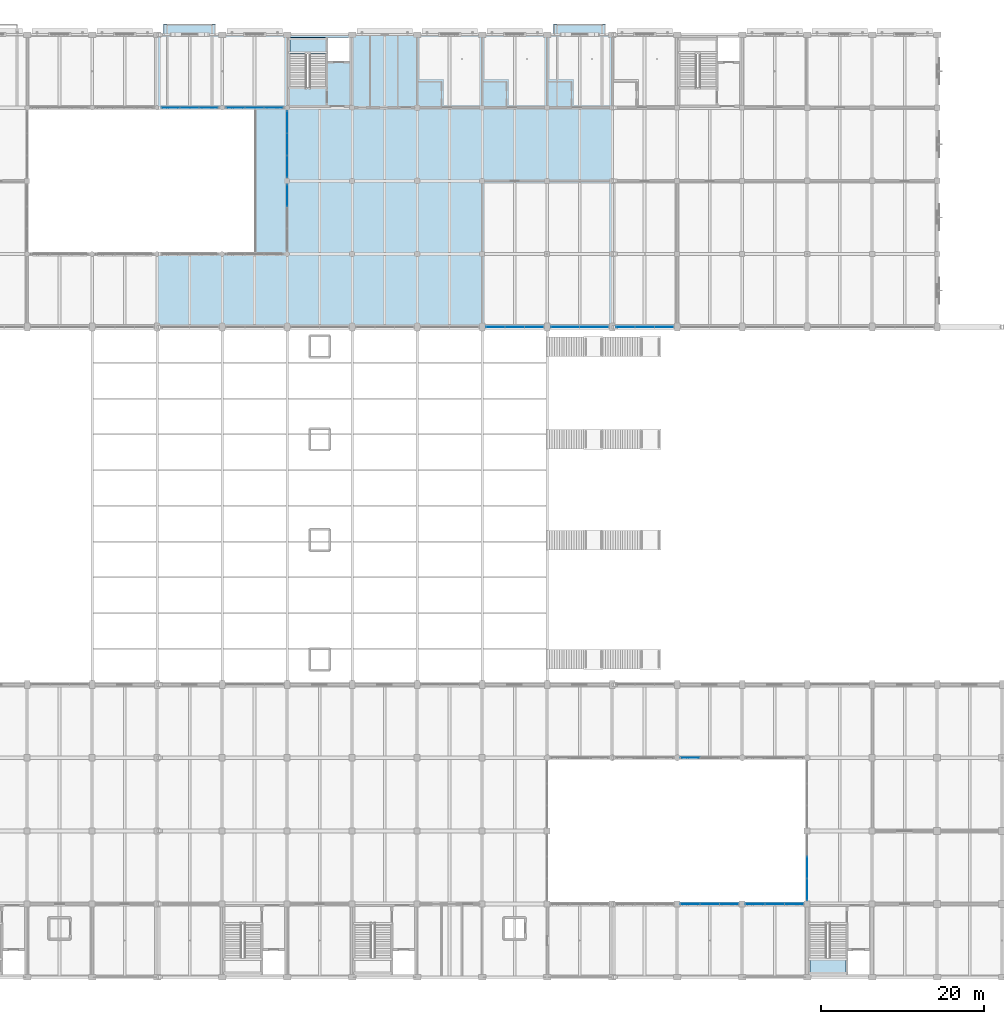
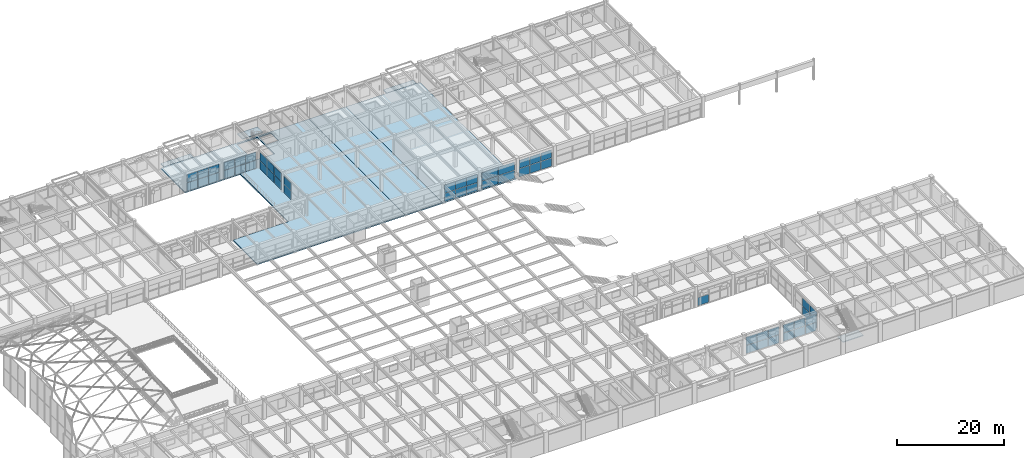
# One storey, part 96 of 144: 53 plates, 7 slabs, 13 elements without a shape of their own.
"""IFC4 building model written with IfcOpenShell, lengths in metres."""

from ifc_helpers import new_model, si_unit, direction, frame, origin, origin_2d, place, context, subcontext, project, spatial, polyline, rectangle, outline, extrude, material, layer, layer_set, type_object, element, aggregate, save


model = new_model("IFC4")

# Units and contexts
model_context = context("Model", 3, precision=1e-05, world=origin(), true_north=direction((0.0, 1.0)))
body_context = subcontext(model_context, "Body", "Model", "MODEL_VIEW")
ifc_project = project(units=[si_unit("LENGTHUNIT", "METRE"), si_unit("AREAUNIT", "SQUARE_METRE"), si_unit("VOLUMEUNIT", "CUBIC_METRE"), si_unit("PLANEANGLEUNIT", "RADIAN"), si_unit("MASSUNIT", "GRAM", prefix="KILO")], contexts=[model_context])

# Site, building, storey
site_placement = place(None, origin())
site = spatial("IfcSite", under=ifc_project, at=site_placement, CompositionType="ELEMENT")
building_placement = place(site_placement, origin())
building = spatial("IfcBuilding", under=site, at=building_placement, Name="Varnabhumi Central Station", CompositionType="ELEMENT")
storey_placement = place(building_placement, frame((0.0, 0.0, 4.800048828125)))
storey = spatial("IfcBuildingStorey", under=building, at=storey_placement, Name="L01", CompositionType="ELEMENT", Elevation=4.800048828125)

# Curtain wall, plates
ifc_material_1 = material(Name="Anodised aluminium 6063-T6", Category="aluminium")
curtain_wall_type_1 = type_object("IfcCurtainWallType", Name="CW-STREET-PORTAL", PredefinedType="NOTDEFINED", material=ifc_material_1)
curtain_wall_1_placement = place(storey_placement, origin())
curtain_wall_1 = element("IfcCurtainWall", 1, at=curtain_wall_1_placement, inside=storey, type_object=curtain_wall_type_1, Name="Curtain Wall CW-NSP113", PredefinedType="NOTDEFINED")
ifc_material_2 = material(Name="Laminated low-E double glazing", Category="glass")
ifc_layer_1 = layer(ifc_material_2, 0.035888671875, Name="Laminated low-E double glazing", Category="glass")
ifc_layer_set_1 = layer_set([ifc_layer_1], Name="Laminated low-E double glazing")
plate_type_1 = type_object("IfcPlateType", Name="CW-PNL-GLZ-2", PredefinedType="CURTAIN_PANEL", material=ifc_layer_set_1)
plate_1_placement = place(storey_placement, frame((105.63330078125, 80.0, 0.0400390625), z_axis=(0.0, 0.0, 1.0), x_axis=(1.0, 0.0, 0.0)))
plate_1 = element("IfcPlate", 2, at=plate_1_placement, type_object=plate_type_1, Name="Glazed Panel CW-NSP113-P11", PredefinedType="CURTAIN_PANEL", context=body_context, shape_type="SweptSolid", body=[
    extrude(rectangle(XDim=2.28662109375, YDim=0.035888671875, at=origin_2d()), origin(), (0.0, 0.0, 1.0), 1.840087890625),
])
plate_2_placement = place(storey_placement, frame((105.63330078125, 80.0, 1.9599609375), z_axis=(0.0, 0.0, 1.0), x_axis=(1.0, 0.0, 0.0)))
plate_2 = element("IfcPlate", 3, at=plate_2_placement, type_object=plate_type_1, Name="Glazed Panel CW-NSP113-P12", PredefinedType="CURTAIN_PANEL", context=body_context, shape_type="SweptSolid", body=[
    extrude(rectangle(XDim=2.28662109375, YDim=0.035888671875, at=origin_2d()), origin(), (0.0, 0.0, 1.0), 1.840087890625),
])
plate_3_placement = place(storey_placement, frame((108.0, 80.0, 0.0400390625), z_axis=(0.0, 0.0, 1.0), x_axis=(1.0, 0.0, 0.0)))
plate_3 = element("IfcPlate", 4, at=plate_3_placement, type_object=plate_type_1, Name="Glazed Panel CW-NSP113-P21", PredefinedType="CURTAIN_PANEL", context=body_context, shape_type="SweptSolid", body=[
    extrude(rectangle(XDim=2.28662109375, YDim=0.035888671875, at=origin_2d()), origin(), (0.0, 0.0, 1.0), 1.840087890625),
])
plate_4_placement = place(storey_placement, frame((108.0, 80.0, 1.9599609375), z_axis=(0.0, 0.0, 1.0), x_axis=(1.0, 0.0, 0.0)))
plate_4 = element("IfcPlate", 5, at=plate_4_placement, type_object=plate_type_1, Name="Glazed Panel CW-NSP113-P22", PredefinedType="CURTAIN_PANEL", context=body_context, shape_type="SweptSolid", body=[
    extrude(rectangle(XDim=2.28662109375, YDim=0.035888671875, at=origin_2d()), origin(), (0.0, 0.0, 1.0), 1.840087890625),
])
plate_5_placement = place(storey_placement, frame((110.36669921875, 80.0, 0.0400390625), z_axis=(0.0, 0.0, 1.0), x_axis=(1.0, 0.0, 0.0)))
plate_5 = element("IfcPlate", 6, at=plate_5_placement, type_object=plate_type_1, Name="Glazed Panel CW-NSP113-P31", PredefinedType="CURTAIN_PANEL", context=body_context, shape_type="SweptSolid", body=[
    extrude(rectangle(XDim=2.28662109375, YDim=0.035888671875, at=origin_2d()), origin(), (0.0, 0.0, 1.0), 1.840087890625),
])
plate_6_placement = place(storey_placement, frame((110.36669921875, 80.0, 1.9599609375), z_axis=(0.0, 0.0, 1.0), x_axis=(1.0, 0.0, 0.0)))
plate_6 = element("IfcPlate", 7, at=plate_6_placement, type_object=plate_type_1, Name="Glazed Panel CW-NSP113-P32", PredefinedType="CURTAIN_PANEL", context=body_context, shape_type="SweptSolid", body=[
    extrude(rectangle(XDim=2.28662109375, YDim=0.035888671875, at=origin_2d()), origin(), (0.0, 0.0, 1.0), 1.840087890625),
])
aggregate(curtain_wall_1, [plate_1, plate_2, plate_3, plate_4, plate_5, plate_6])

curtain_wall_type_2 = type_object("IfcCurtainWallType", Name="CW-PATIO-LOGGIA-L1", PredefinedType="NOTDEFINED", material=ifc_material_1)
curtain_wall_2_placement = place(storey_placement, origin())
curtain_wall_2 = element("IfcCurtainWall", 8, at=curtain_wall_2_placement, inside=storey, type_object=curtain_wall_type_2, Name="Curtain Wall CW-NP1W1", PredefinedType="NOTDEFINED")
plate_7_placement = place(storey_placement, frame((80.0, 96.219970703125, 0.0400390625), z_axis=(0.0, 0.0, 1.0), x_axis=(0.0, 1.0, 0.0)))
plate_7 = element("IfcPlate", 9, at=plate_7_placement, type_object=plate_type_1, Name="Glazed Panel CW-NP1W1-P31", PredefinedType="CURTAIN_PANEL", context=body_context, shape_type="SweptSolid", body=[
    extrude(rectangle(XDim=2.639892578125, YDim=0.035888671875, at=origin_2d()), origin(), (0.0, 0.0, 1.0), 1.840087890625),
])
plate_8_placement = place(storey_placement, frame((80.0, 96.219970703125, 1.9599609375), z_axis=(0.0, 0.0, 1.0), x_axis=(0.0, 1.0, 0.0)))
plate_8 = element("IfcPlate", 10, at=plate_8_placement, type_object=plate_type_1, Name="Glazed Panel CW-NP1W1-P32", PredefinedType="CURTAIN_PANEL", context=body_context, shape_type="SweptSolid", body=[
    extrude(rectangle(XDim=2.639892578125, YDim=0.035888671875, at=origin_2d()), origin(), (0.0, 0.0, 1.0), 1.840087890625),
])
aggregate(curtain_wall_2, [plate_7, plate_8])

curtain_wall_3_placement = place(storey_placement, origin())
curtain_wall_3 = element("IfcCurtainWall", 11, at=curtain_wall_3_placement, inside=storey, type_object=curtain_wall_type_2, Name="Curtain Wall CW-NP1W2", PredefinedType="NOTDEFINED")
plate_9_placement = place(storey_placement, frame((80.0, 99.780029296875, 0.0400390625), z_axis=(0.0, 0.0, 1.0), x_axis=(0.0, 1.0, 0.0)))
plate_9 = element("IfcPlate", 12, at=plate_9_placement, type_object=plate_type_1, Name="Glazed Panel CW-NP1W2-P11", PredefinedType="CURTAIN_PANEL", context=body_context, shape_type="SweptSolid", body=[
    extrude(rectangle(XDim=2.639892578125, YDim=0.035888671875, at=origin_2d()), origin(), (0.0, 0.0, 1.0), 1.840087890625),
])
plate_10_placement = place(storey_placement, frame((80.0, 99.780029296875, 1.9599609375), z_axis=(0.0, 0.0, 1.0), x_axis=(0.0, 1.0, 0.0)))
plate_10 = element("IfcPlate", 13, at=plate_10_placement, type_object=plate_type_1, Name="Glazed Panel CW-NP1W2-P12", PredefinedType="CURTAIN_PANEL", context=body_context, shape_type="SweptSolid", body=[
    extrude(rectangle(XDim=2.639892578125, YDim=0.035888671875, at=origin_2d()), origin(), (0.0, 0.0, 1.0), 1.840087890625),
])
plate_11_placement = place(storey_placement, frame((80.0, 102.5, 0.0400390625), z_axis=(0.0, 0.0, 1.0), x_axis=(0.0, 1.0, 0.0)))
plate_11 = element("IfcPlate", 14, at=plate_11_placement, type_object=plate_type_1, Name="Glazed Panel CW-NP1W2-P21", PredefinedType="CURTAIN_PANEL", context=body_context, shape_type="SweptSolid", body=[
    extrude(rectangle(XDim=2.639892578125, YDim=0.035888671875, at=origin_2d()), origin(), (0.0, 0.0, 1.0), 1.840087890625),
])
plate_12_placement = place(storey_placement, frame((80.0, 102.5, 1.9599609375), z_axis=(0.0, 0.0, 1.0), x_axis=(0.0, 1.0, 0.0)))
plate_12 = element("IfcPlate", 15, at=plate_12_placement, type_object=plate_type_1, Name="Glazed Panel CW-NP1W2-P22", PredefinedType="CURTAIN_PANEL", context=body_context, shape_type="SweptSolid", body=[
    extrude(rectangle(XDim=2.639892578125, YDim=0.035888671875, at=origin_2d()), origin(), (0.0, 0.0, 1.0), 1.840087890625),
])
plate_13_placement = place(storey_placement, frame((80.0, 105.219970703125, 0.0400390625), z_axis=(0.0, 0.0, 1.0), x_axis=(0.0, 1.0, 0.0)))
plate_13 = element("IfcPlate", 16, at=plate_13_placement, type_object=plate_type_1, Name="Glazed Panel CW-NP1W2-P31", PredefinedType="CURTAIN_PANEL", context=body_context, shape_type="SweptSolid", body=[
    extrude(rectangle(XDim=2.639892578125, YDim=0.035888671875, at=origin_2d()), origin(), (0.0, 0.0, 1.0), 1.840087890625),
])
plate_14_placement = place(storey_placement, frame((80.0, 105.219970703125, 1.9599609375), z_axis=(0.0, 0.0, 1.0), x_axis=(0.0, 1.0, 0.0)))
plate_14 = element("IfcPlate", 17, at=plate_14_placement, type_object=plate_type_1, Name="Glazed Panel CW-NP1W2-P32", PredefinedType="CURTAIN_PANEL", context=body_context, shape_type="SweptSolid", body=[
    extrude(rectangle(XDim=2.639892578125, YDim=0.035888671875, at=origin_2d()), origin(), (0.0, 0.0, 1.0), 1.840087890625),
])
aggregate(curtain_wall_3, [plate_9, plate_10, plate_11, plate_12, plate_13, plate_14])

curtain_wall_4_placement = place(storey_placement, origin())
curtain_wall_4 = element("IfcCurtainWall", 18, at=curtain_wall_4_placement, inside=storey, type_object=curtain_wall_type_2, Name="Curtain Wall CW-SP1W1", PredefinedType="NOTDEFINED")
ifc_layer_2 = layer(ifc_material_2, 0.035888671875, Name="Laminated low-E double glazing", Category="glass")
ifc_layer_set_2 = layer_set([ifc_layer_2], Name="Laminated low-E double glazing")
plate_type_2 = type_object("IfcPlateType", Name="CW-PNL-GLZ-3", PredefinedType="CURTAIN_PANEL", material=ifc_layer_set_2)
plate_15_placement = place(storey_placement, frame((144.0, 10.780029296875, 0.0400390625), z_axis=(0.0, 0.0, 1.0), x_axis=(0.0, 1.0, 0.0)))
plate_15 = element("IfcPlate", 19, at=plate_15_placement, type_object=plate_type_2, Name="Glazed Panel CW-SP1W1-P11", PredefinedType="CURTAIN_PANEL", context=body_context, shape_type="SweptSolid", body=[
    extrude(rectangle(XDim=2.639892578125, YDim=0.035888671875, at=origin_2d()), origin(), (0.0, 0.0, 1.0), 1.840087890625),
])
plate_16_placement = place(storey_placement, frame((144.0, 10.780029296875, 1.9599609375), z_axis=(0.0, 0.0, 1.0), x_axis=(0.0, 1.0, 0.0)))
plate_16 = element("IfcPlate", 20, at=plate_16_placement, type_object=plate_type_2, Name="Glazed Panel CW-SP1W1-P12", PredefinedType="CURTAIN_PANEL", context=body_context, shape_type="SweptSolid", body=[
    extrude(rectangle(XDim=2.639892578125, YDim=0.035888671875, at=origin_2d()), origin(), (0.0, 0.0, 1.0), 1.840087890625),
])
plate_17_placement = place(storey_placement, frame((144.0, 13.5, 0.0400390625), z_axis=(0.0, 0.0, 1.0), x_axis=(0.0, 1.0, 0.0)))
plate_17 = element("IfcPlate", 21, at=plate_17_placement, type_object=plate_type_2, Name="Glazed Panel CW-SP1W1-P21", PredefinedType="CURTAIN_PANEL", context=body_context, shape_type="SweptSolid", body=[
    extrude(rectangle(XDim=2.639892578125, YDim=0.035888671875, at=origin_2d()), origin(), (0.0, 0.0, 1.0), 1.840087890625),
])
plate_18_placement = place(storey_placement, frame((144.0, 13.5, 1.9599609375), z_axis=(0.0, 0.0, 1.0), x_axis=(0.0, 1.0, 0.0)))
plate_18 = element("IfcPlate", 22, at=plate_18_placement, type_object=plate_type_2, Name="Glazed Panel CW-SP1W1-P22", PredefinedType="CURTAIN_PANEL", context=body_context, shape_type="SweptSolid", body=[
    extrude(rectangle(XDim=2.639892578125, YDim=0.035888671875, at=origin_2d()), origin(), (0.0, 0.0, 1.0), 1.840087890625),
])
aggregate(curtain_wall_4, [plate_15, plate_16, plate_17, plate_18])

curtain_wall_5_placement = place(storey_placement, origin())
curtain_wall_5 = element("IfcCurtainWall", 23, at=curtain_wall_5_placement, inside=storey, type_object=curtain_wall_type_1, Name="Curtain Wall CW-NSP115", PredefinedType="NOTDEFINED")
ifc_layer_3 = layer(ifc_material_2, 0.035888671875, Name="Laminated low-E double glazing", Category="glass")
ifc_layer_set_3 = layer_set([ifc_layer_3], Name="Laminated low-E double glazing")
plate_type_3 = type_object("IfcPlateType", Name="CW-PNL-GLZ-4", PredefinedType="CURTAIN_PANEL", material=ifc_layer_set_3)
plate_19_placement = place(storey_placement, frame((121.63330078125, 80.0, 0.0400390625), z_axis=(0.0, 0.0, 1.0), x_axis=(1.0, 0.0, 0.0)))
plate_19 = element("IfcPlate", 24, at=plate_19_placement, type_object=plate_type_3, Name="Glazed Panel CW-NSP115-P11", PredefinedType="CURTAIN_PANEL", context=body_context, shape_type="SweptSolid", body=[
    extrude(rectangle(XDim=2.28662109375, YDim=0.035888671875, at=origin_2d()), origin(), (0.0, 0.0, 1.0), 1.840087890625),
])
plate_20_placement = place(storey_placement, frame((121.63330078125, 80.0, 1.9599609375), z_axis=(0.0, 0.0, 1.0), x_axis=(1.0, 0.0, 0.0)))
plate_20 = element("IfcPlate", 25, at=plate_20_placement, type_object=plate_type_3, Name="Glazed Panel CW-NSP115-P12", PredefinedType="CURTAIN_PANEL", context=body_context, shape_type="SweptSolid", body=[
    extrude(rectangle(XDim=2.28662109375, YDim=0.035888671875, at=origin_2d()), origin(), (0.0, 0.0, 1.0), 1.840087890625),
])
plate_21_placement = place(storey_placement, frame((124.0, 80.0, 0.0400390625), z_axis=(0.0, 0.0, 1.0), x_axis=(1.0, 0.0, 0.0)))
plate_21 = element("IfcPlate", 26, at=plate_21_placement, type_object=plate_type_3, Name="Glazed Panel CW-NSP115-P21", PredefinedType="CURTAIN_PANEL", context=body_context, shape_type="SweptSolid", body=[
    extrude(rectangle(XDim=2.28662109375, YDim=0.035888671875, at=origin_2d()), origin(), (0.0, 0.0, 1.0), 1.840087890625),
])
plate_22_placement = place(storey_placement, frame((124.0, 80.0, 1.9599609375), z_axis=(0.0, 0.0, 1.0), x_axis=(1.0, 0.0, 0.0)))
plate_22 = element("IfcPlate", 27, at=plate_22_placement, type_object=plate_type_3, Name="Glazed Panel CW-NSP115-P22", PredefinedType="CURTAIN_PANEL", context=body_context, shape_type="SweptSolid", body=[
    extrude(rectangle(XDim=2.28662109375, YDim=0.035888671875, at=origin_2d()), origin(), (0.0, 0.0, 1.0), 1.840087890625),
])
plate_23_placement = place(storey_placement, frame((126.36669921875, 80.0, 0.0400390625), z_axis=(0.0, 0.0, 1.0), x_axis=(1.0, 0.0, 0.0)))
plate_23 = element("IfcPlate", 28, at=plate_23_placement, type_object=plate_type_3, Name="Glazed Panel CW-NSP115-P31", PredefinedType="CURTAIN_PANEL", context=body_context, shape_type="SweptSolid", body=[
    extrude(rectangle(XDim=2.28662109375, YDim=0.035888671875, at=origin_2d()), origin(), (0.0, 0.0, 1.0), 1.840087890625),
])
plate_24_placement = place(storey_placement, frame((126.36669921875, 80.0, 1.9599609375), z_axis=(0.0, 0.0, 1.0), x_axis=(1.0, 0.0, 0.0)))
plate_24 = element("IfcPlate", 29, at=plate_24_placement, type_object=plate_type_3, Name="Glazed Panel CW-NSP115-P32", PredefinedType="CURTAIN_PANEL", context=body_context, shape_type="SweptSolid", body=[
    extrude(rectangle(XDim=2.28662109375, YDim=0.035888671875, at=origin_2d()), origin(), (0.0, 0.0, 1.0), 1.840087890625),
])
aggregate(curtain_wall_5, [plate_19, plate_20, plate_21, plate_22, plate_23, plate_24])

curtain_wall_6_placement = place(storey_placement, origin())
curtain_wall_6 = element("IfcCurtainWall", 30, at=curtain_wall_6_placement, inside=storey, type_object=curtain_wall_type_2, Name="Curtain Wall CW-NP1N3", PredefinedType="NOTDEFINED")
plate_25_placement = place(storey_placement, frame((65.679931640625, 107.0, 0.0400390625), z_axis=(0.0, 0.0, 1.0), x_axis=(1.0, 0.0, 0.0)))
plate_25 = element("IfcPlate", 31, at=plate_25_placement, type_object=plate_type_3, Name="Glazed Panel CW-NP1N3-P11", PredefinedType="CURTAIN_PANEL", context=body_context, shape_type="SweptSolid", body=[
    extrude(rectangle(XDim=2.239990234375, YDim=0.035888671875, at=origin_2d()), origin(), (0.0, 0.0, 1.0), 1.840087890625),
])
plate_26_placement = place(storey_placement, frame((65.679931640625, 107.0, 1.9599609375), z_axis=(0.0, 0.0, 1.0), x_axis=(1.0, 0.0, 0.0)))
plate_26 = element("IfcPlate", 32, at=plate_26_placement, type_object=plate_type_3, Name="Glazed Panel CW-NP1N3-P12", PredefinedType="CURTAIN_PANEL", context=body_context, shape_type="SweptSolid", body=[
    extrude(rectangle(XDim=2.239990234375, YDim=0.035888671875, at=origin_2d()), origin(), (0.0, 0.0, 1.0), 1.840087890625),
])
plate_27_placement = place(storey_placement, frame((68.0, 107.0, 0.0400390625), z_axis=(0.0, 0.0, 1.0), x_axis=(1.0, 0.0, 0.0)))
plate_27 = element("IfcPlate", 33, at=plate_27_placement, type_object=plate_type_3, Name="Glazed Panel CW-NP1N3-P21", PredefinedType="CURTAIN_PANEL", context=body_context, shape_type="SweptSolid", body=[
    extrude(rectangle(XDim=2.239990234375, YDim=0.035888671875, at=origin_2d()), origin(), (0.0, 0.0, 1.0), 1.840087890625),
])
plate_28_placement = place(storey_placement, frame((68.0, 107.0, 1.9599609375), z_axis=(0.0, 0.0, 1.0), x_axis=(1.0, 0.0, 0.0)))
plate_28 = element("IfcPlate", 34, at=plate_28_placement, type_object=plate_type_3, Name="Glazed Panel CW-NP1N3-P22", PredefinedType="CURTAIN_PANEL", context=body_context, shape_type="SweptSolid", body=[
    extrude(rectangle(XDim=2.239990234375, YDim=0.035888671875, at=origin_2d()), origin(), (0.0, 0.0, 1.0), 1.840087890625),
])
plate_29_placement = place(storey_placement, frame((70.320068359375, 107.0, 0.0400390625), z_axis=(0.0, 0.0, 1.0), x_axis=(1.0, 0.0, 0.0)))
plate_29 = element("IfcPlate", 35, at=plate_29_placement, type_object=plate_type_3, Name="Glazed Panel CW-NP1N3-P31", PredefinedType="CURTAIN_PANEL", context=body_context, shape_type="SweptSolid", body=[
    extrude(rectangle(XDim=2.239990234375, YDim=0.035888671875, at=origin_2d()), origin(), (0.0, 0.0, 1.0), 1.840087890625),
])
plate_30_placement = place(storey_placement, frame((70.320068359375, 107.0, 1.9599609375), z_axis=(0.0, 0.0, 1.0), x_axis=(1.0, 0.0, 0.0)))
plate_30 = element("IfcPlate", 36, at=plate_30_placement, type_object=plate_type_3, Name="Glazed Panel CW-NP1N3-P32", PredefinedType="CURTAIN_PANEL", context=body_context, shape_type="SweptSolid", body=[
    extrude(rectangle(XDim=2.239990234375, YDim=0.035888671875, at=origin_2d()), origin(), (0.0, 0.0, 1.0), 1.840087890625),
])
aggregate(curtain_wall_6, [plate_25, plate_26, plate_27, plate_28, plate_29, plate_30])

curtain_wall_type_3 = type_object("IfcCurtainWallType", Name="CW-SPINE-SCREEN-L0", PredefinedType="NOTDEFINED", material=ifc_material_1)
curtain_wall_7_placement = place(storey_placement, origin())
curtain_wall_7 = element("IfcCurtainWall", 37, at=curtain_wall_7_placement, inside=storey, type_object=curtain_wall_type_3, Name="Curtain Wall CW-NS114", PredefinedType="NOTDEFINED")
ifc_layer_4 = layer(ifc_material_2, 0.035888671875, Name="Laminated low-E double glazing", Category="glass")
ifc_layer_set_4 = layer_set([ifc_layer_4], Name="Laminated low-E double glazing")
plate_type_4 = type_object("IfcPlateType", Name="CW-PNL-GLZ-5", PredefinedType="CURTAIN_PANEL", material=ifc_layer_set_4)
plate_31_placement = place(storey_placement, frame((114.22509765625, 80.0, 0.0400390625), z_axis=(0.0, 0.0, 1.0), x_axis=(1.0, 0.0, 0.0)))
plate_31 = element("IfcPlate", 38, at=plate_31_placement, type_object=plate_type_4, Name="Glazed Panel CW-NS114-P11", PredefinedType="CURTAIN_PANEL", context=body_context, shape_type="SweptSolid", body=[
    extrude(rectangle(XDim=3.469970703125, YDim=0.035888671875, at=origin_2d()), origin(), (0.0, 0.0, 1.0), 1.840087890625),
])
plate_32_placement = place(storey_placement, frame((114.22509765625, 80.0, 1.9599609375), z_axis=(0.0, 0.0, 1.0), x_axis=(1.0, 0.0, 0.0)))
plate_32 = element("IfcPlate", 39, at=plate_32_placement, type_object=plate_type_4, Name="Glazed Panel CW-NS114-P12", PredefinedType="CURTAIN_PANEL", context=body_context, shape_type="SweptSolid", body=[
    extrude(rectangle(XDim=3.469970703125, YDim=0.035888671875, at=origin_2d()), origin(), (0.0, 0.0, 1.0), 1.840087890625),
])
plate_33_placement = place(storey_placement, frame((117.77490234375, 80.0, 0.0400390625), z_axis=(0.0, 0.0, 1.0), x_axis=(1.0, 0.0, 0.0)))
plate_33 = element("IfcPlate", 40, at=plate_33_placement, type_object=plate_type_4, Name="Glazed Panel CW-NS114-P21", PredefinedType="CURTAIN_PANEL", context=body_context, shape_type="SweptSolid", body=[
    extrude(rectangle(XDim=3.469970703125, YDim=0.035888671875, at=origin_2d()), origin(), (0.0, 0.0, 1.0), 1.840087890625),
])
plate_34_placement = place(storey_placement, frame((117.77490234375, 80.0, 1.9599609375), z_axis=(0.0, 0.0, 1.0), x_axis=(1.0, 0.0, 0.0)))
plate_34 = element("IfcPlate", 41, at=plate_34_placement, type_object=plate_type_4, Name="Glazed Panel CW-NS114-P22", PredefinedType="CURTAIN_PANEL", context=body_context, shape_type="SweptSolid", body=[
    extrude(rectangle(XDim=3.469970703125, YDim=0.035888671875, at=origin_2d()), origin(), (0.0, 0.0, 1.0), 1.840087890625),
])
aggregate(curtain_wall_7, [plate_31, plate_32, plate_33, plate_34])

curtain_wall_8_placement = place(storey_placement, origin())
curtain_wall_8 = element("IfcCurtainWall", 42, at=curtain_wall_8_placement, inside=storey, type_object=curtain_wall_type_2, Name="Curtain Wall CW-NP1N4", PredefinedType="NOTDEFINED")
plate_35_placement = place(storey_placement, frame((73.679931640625, 107.0, 0.0400390625), z_axis=(0.0, 0.0, 1.0), x_axis=(1.0, 0.0, 0.0)))
plate_35 = element("IfcPlate", 43, at=plate_35_placement, type_object=plate_type_4, Name="Glazed Panel CW-NP1N4-P11", PredefinedType="CURTAIN_PANEL", context=body_context, shape_type="SweptSolid", body=[
    extrude(rectangle(XDim=2.239990234375, YDim=0.035888671875, at=origin_2d()), origin(), (0.0, 0.0, 1.0), 1.840087890625),
])
plate_36_placement = place(storey_placement, frame((73.679931640625, 107.0, 1.9599609375), z_axis=(0.0, 0.0, 1.0), x_axis=(1.0, 0.0, 0.0)))
plate_36 = element("IfcPlate", 44, at=plate_36_placement, type_object=plate_type_4, Name="Glazed Panel CW-NP1N4-P12", PredefinedType="CURTAIN_PANEL", context=body_context, shape_type="SweptSolid", body=[
    extrude(rectangle(XDim=2.239990234375, YDim=0.035888671875, at=origin_2d()), origin(), (0.0, 0.0, 1.0), 1.840087890625),
])
plate_37_placement = place(storey_placement, frame((76.0, 107.0, 0.0400390625), z_axis=(0.0, 0.0, 1.0), x_axis=(1.0, 0.0, 0.0)))
plate_37 = element("IfcPlate", 45, at=plate_37_placement, type_object=plate_type_4, Name="Glazed Panel CW-NP1N4-P21", PredefinedType="CURTAIN_PANEL", context=body_context, shape_type="SweptSolid", body=[
    extrude(rectangle(XDim=2.239990234375, YDim=0.035888671875, at=origin_2d()), origin(), (0.0, 0.0, 1.0), 1.840087890625),
])
plate_38_placement = place(storey_placement, frame((76.0, 107.0, 1.9599609375), z_axis=(0.0, 0.0, 1.0), x_axis=(1.0, 0.0, 0.0)))
plate_38 = element("IfcPlate", 46, at=plate_38_placement, type_object=plate_type_4, Name="Glazed Panel CW-NP1N4-P22", PredefinedType="CURTAIN_PANEL", context=body_context, shape_type="SweptSolid", body=[
    extrude(rectangle(XDim=2.239990234375, YDim=0.035888671875, at=origin_2d()), origin(), (0.0, 0.0, 1.0), 1.840087890625),
])
plate_39_placement = place(storey_placement, frame((78.320068359375, 107.0, 0.0400390625), z_axis=(0.0, 0.0, 1.0), x_axis=(1.0, 0.0, 0.0)))
plate_39 = element("IfcPlate", 47, at=plate_39_placement, type_object=plate_type_4, Name="Glazed Panel CW-NP1N4-P31", PredefinedType="CURTAIN_PANEL", context=body_context, shape_type="SweptSolid", body=[
    extrude(rectangle(XDim=2.239990234375, YDim=0.035888671875, at=origin_2d()), origin(), (0.0, 0.0, 1.0), 1.840087890625),
])
plate_40_placement = place(storey_placement, frame((78.320068359375, 107.0, 1.9599609375), z_axis=(0.0, 0.0, 1.0), x_axis=(1.0, 0.0, 0.0)))
plate_40 = element("IfcPlate", 48, at=plate_40_placement, type_object=plate_type_4, Name="Glazed Panel CW-NP1N4-P32", PredefinedType="CURTAIN_PANEL", context=body_context, shape_type="SweptSolid", body=[
    extrude(rectangle(XDim=2.239990234375, YDim=0.035888671875, at=origin_2d()), origin(), (0.0, 0.0, 1.0), 1.840087890625),
])
aggregate(curtain_wall_8, [plate_35, plate_36, plate_37, plate_38, plate_39, plate_40])

curtain_wall_9_placement = place(storey_placement, origin())
curtain_wall_9 = element("IfcCurtainWall", 49, at=curtain_wall_9_placement, inside=storey, type_object=curtain_wall_type_2, Name="Curtain Wall CW-SP1S3", PredefinedType="NOTDEFINED")
ifc_layer_5 = layer(ifc_material_2, 0.035888671875, Name="Laminated low-E double glazing", Category="glass")
ifc_layer_set_5 = layer_set([ifc_layer_5], Name="Laminated low-E double glazing")
plate_type_5 = type_object("IfcPlateType", Name="CW-PNL-GLZ-7", PredefinedType="CURTAIN_PANEL", material=ifc_layer_set_5)
plate_41_placement = place(storey_placement, frame((129.61328125, 9.0, 0.0400390625), z_axis=(0.0, 0.0, 1.0), x_axis=(1.0, 0.0, 0.0)))
plate_41 = element("IfcPlate", 50, at=plate_41_placement, type_object=plate_type_5, Name="Glazed Panel CW-SP1S3-P11", PredefinedType="CURTAIN_PANEL", context=body_context, shape_type="SweptSolid", body=[
    extrude(rectangle(XDim=2.306640625, YDim=0.035888671875, at=origin_2d()), origin(), (0.0, 0.0, 1.0), 1.840087890625),
])
plate_42_placement = place(storey_placement, frame((129.61328125, 9.0, 1.9599609375), z_axis=(0.0, 0.0, 1.0), x_axis=(1.0, 0.0, 0.0)))
plate_42 = element("IfcPlate", 51, at=plate_42_placement, type_object=plate_type_5, Name="Glazed Panel CW-SP1S3-P12", PredefinedType="CURTAIN_PANEL", context=body_context, shape_type="SweptSolid", body=[
    extrude(rectangle(XDim=2.306640625, YDim=0.035888671875, at=origin_2d()), origin(), (0.0, 0.0, 1.0), 1.840087890625),
])
plate_43_placement = place(storey_placement, frame((132.0, 9.0, 0.0400390625), z_axis=(0.0, 0.0, 1.0), x_axis=(1.0, 0.0, 0.0)))
plate_43 = element("IfcPlate", 52, at=plate_43_placement, type_object=plate_type_5, Name="Glazed Panel CW-SP1S3-P21", PredefinedType="CURTAIN_PANEL", context=body_context, shape_type="SweptSolid", body=[
    extrude(rectangle(XDim=2.306640625, YDim=0.035888671875, at=origin_2d()), origin(), (0.0, 0.0, 1.0), 1.840087890625),
])
plate_44_placement = place(storey_placement, frame((132.0, 9.0, 1.9599609375), z_axis=(0.0, 0.0, 1.0), x_axis=(1.0, 0.0, 0.0)))
plate_44 = element("IfcPlate", 53, at=plate_44_placement, type_object=plate_type_5, Name="Glazed Panel CW-SP1S3-P22", PredefinedType="CURTAIN_PANEL", context=body_context, shape_type="SweptSolid", body=[
    extrude(rectangle(XDim=2.306640625, YDim=0.035888671875, at=origin_2d()), origin(), (0.0, 0.0, 1.0), 1.840087890625),
])
plate_45_placement = place(storey_placement, frame((134.38671875, 9.0, 0.0400390625), z_axis=(0.0, 0.0, 1.0), x_axis=(1.0, 0.0, 0.0)))
plate_45 = element("IfcPlate", 54, at=plate_45_placement, type_object=plate_type_5, Name="Glazed Panel CW-SP1S3-P31", PredefinedType="CURTAIN_PANEL", context=body_context, shape_type="SweptSolid", body=[
    extrude(rectangle(XDim=2.306640625, YDim=0.035888671875, at=origin_2d()), origin(), (0.0, 0.0, 1.0), 1.840087890625),
])
plate_46_placement = place(storey_placement, frame((134.38671875, 9.0, 1.9599609375), z_axis=(0.0, 0.0, 1.0), x_axis=(1.0, 0.0, 0.0)))
plate_46 = element("IfcPlate", 55, at=plate_46_placement, type_object=plate_type_5, Name="Glazed Panel CW-SP1S3-P32", PredefinedType="CURTAIN_PANEL", context=body_context, shape_type="SweptSolid", body=[
    extrude(rectangle(XDim=2.306640625, YDim=0.035888671875, at=origin_2d()), origin(), (0.0, 0.0, 1.0), 1.840087890625),
])
aggregate(curtain_wall_9, [plate_41, plate_42, plate_43, plate_44, plate_45, plate_46])

# Curtain wall, plate
curtain_wall_10_placement = place(storey_placement, origin())
curtain_wall_10 = element("IfcCurtainWall", 56, at=curtain_wall_10_placement, inside=storey, type_object=curtain_wall_type_2, Name="Curtain Wall CW-SP1N3", PredefinedType="NOTDEFINED")
plate_47_placement = place(storey_placement, frame((129.61328125, 27.0, 0.0400390625), z_axis=(0.0, 0.0, 1.0), x_axis=(1.0, 0.0, 0.0)))
plate_47 = element("IfcPlate", 57, at=plate_47_placement, type_object=plate_type_5, Name="Glazed Panel CW-SP1N3-P11", PredefinedType="CURTAIN_PANEL", context=body_context, shape_type="SweptSolid", body=[
    extrude(rectangle(XDim=2.306640625, YDim=0.035888671875, at=origin_2d()), origin(), (0.0, 0.0, 1.0), 1.840087890625),
])
aggregate(curtain_wall_10, [plate_47])

# Curtain wall, plates
curtain_wall_11_placement = place(storey_placement, origin())
curtain_wall_11 = element("IfcCurtainWall", 58, at=curtain_wall_11_placement, inside=storey, type_object=curtain_wall_type_2, Name="Curtain Wall CW-SP1S4", PredefinedType="NOTDEFINED")
ifc_layer_6 = layer(ifc_material_2, 0.035888671875, Name="Laminated low-E double glazing", Category="glass")
ifc_layer_set_6 = layer_set([ifc_layer_6], Name="Laminated low-E double glazing")
plate_type_6 = type_object("IfcPlateType", Name="CW-PNL-GLZ-8", PredefinedType="CURTAIN_PANEL", material=ifc_layer_set_6)
plate_48_placement = place(storey_placement, frame((137.61328125, 9.0, 0.0400390625), z_axis=(0.0, 0.0, 1.0), x_axis=(1.0, 0.0, 0.0)))
plate_48 = element("IfcPlate", 59, at=plate_48_placement, type_object=plate_type_6, Name="Glazed Panel CW-SP1S4-P11", PredefinedType="CURTAIN_PANEL", context=body_context, shape_type="SweptSolid", body=[
    extrude(rectangle(XDim=2.306640625, YDim=0.035888671875, at=origin_2d()), origin(), (0.0, 0.0, 1.0), 1.840087890625),
])
plate_49_placement = place(storey_placement, frame((137.61328125, 9.0, 1.9599609375), z_axis=(0.0, 0.0, 1.0), x_axis=(1.0, 0.0, 0.0)))
plate_49 = element("IfcPlate", 60, at=plate_49_placement, type_object=plate_type_6, Name="Glazed Panel CW-SP1S4-P12", PredefinedType="CURTAIN_PANEL", context=body_context, shape_type="SweptSolid", body=[
    extrude(rectangle(XDim=2.306640625, YDim=0.035888671875, at=origin_2d()), origin(), (0.0, 0.0, 1.0), 1.840087890625),
])
plate_50_placement = place(storey_placement, frame((140.0, 9.0, 0.0400390625), z_axis=(0.0, 0.0, 1.0), x_axis=(1.0, 0.0, 0.0)))
plate_50 = element("IfcPlate", 61, at=plate_50_placement, type_object=plate_type_6, Name="Glazed Panel CW-SP1S4-P21", PredefinedType="CURTAIN_PANEL", context=body_context, shape_type="SweptSolid", body=[
    extrude(rectangle(XDim=2.306640625, YDim=0.035888671875, at=origin_2d()), origin(), (0.0, 0.0, 1.0), 1.840087890625),
])
plate_51_placement = place(storey_placement, frame((140.0, 9.0, 1.9599609375), z_axis=(0.0, 0.0, 1.0), x_axis=(1.0, 0.0, 0.0)))
plate_51 = element("IfcPlate", 62, at=plate_51_placement, type_object=plate_type_6, Name="Glazed Panel CW-SP1S4-P22", PredefinedType="CURTAIN_PANEL", context=body_context, shape_type="SweptSolid", body=[
    extrude(rectangle(XDim=2.306640625, YDim=0.035888671875, at=origin_2d()), origin(), (0.0, 0.0, 1.0), 1.840087890625),
])
plate_52_placement = place(storey_placement, frame((142.38671875, 9.0, 0.0400390625), z_axis=(0.0, 0.0, 1.0), x_axis=(1.0, 0.0, 0.0)))
plate_52 = element("IfcPlate", 63, at=plate_52_placement, type_object=plate_type_6, Name="Glazed Panel CW-SP1S4-P31", PredefinedType="CURTAIN_PANEL", context=body_context, shape_type="SweptSolid", body=[
    extrude(rectangle(XDim=2.306640625, YDim=0.035888671875, at=origin_2d()), origin(), (0.0, 0.0, 1.0), 1.840087890625),
])
plate_53_placement = place(storey_placement, frame((142.38671875, 9.0, 1.9599609375), z_axis=(0.0, 0.0, 1.0), x_axis=(1.0, 0.0, 0.0)))
plate_53 = element("IfcPlate", 64, at=plate_53_placement, type_object=plate_type_6, Name="Glazed Panel CW-SP1S4-P32", PredefinedType="CURTAIN_PANEL", context=body_context, shape_type="SweptSolid", body=[
    extrude(rectangle(XDim=2.306640625, YDim=0.035888671875, at=origin_2d()), origin(), (0.0, 0.0, 1.0), 1.840087890625),
])
aggregate(curtain_wall_11, [plate_48, plate_49, plate_50, plate_51, plate_52, plate_53])

# Slabs
ifc_material_3 = material(Name="Concrete M40", Category="concrete")
ifc_layer_7 = layer(ifc_material_3, 0.25, Name="Concrete M40", Category="concrete")
ifc_layer_set_7 = layer_set([ifc_layer_7], Name="Concrete M40")
slab_type_1 = type_object("IfcSlabType", Name="SLB-AZOTEA-200", PredefinedType="ROOF", material=ifc_layer_set_7)
slab_1_placement = place(storey_placement, frame((0.0, 0.0, -0.25)))
element("IfcSlab", 65, at=slab_1_placement, inside=storey, type_object=slab_type_1, Name="Azotea Roof Garden Slab L01-7", PredefinedType="ROOF", context=body_context, shape_type="SweptSolid", body=[
    extrude(outline(polyline([(64.800048828125, 116.0), (71.199951171875, 116.0), (71.199951171875, 117.300048828125), (64.800048828125, 117.300048828125), (64.800048828125, 116.0)])), origin(), (0.0, 0.0, 1.0), 0.25),
])
slab_2_placement = place(storey_placement, frame((0.0, 0.0, -0.25)))
element("IfcSlab", 66, at=slab_2_placement, inside=storey, type_object=slab_type_1, Name="Azotea Roof Garden Slab L01-8", PredefinedType="ROOF", context=body_context, shape_type="SweptSolid", body=[
    extrude(outline(polyline([(112.800048828125, 116.0), (119.199951171875, 116.0), (119.199951171875, 117.300048828125), (112.800048828125, 117.300048828125), (112.800048828125, 116.0)])), origin(), (0.0, 0.0, 1.0), 0.25),
])

# Stair, slab
stair_type = type_object("IfcStairType", Name="STR-CORE-4800", PredefinedType="DOUBLE_RETURN_STAIR", material=ifc_material_3)
stair_1_placement = place(storey_placement, origin())
stair_1 = element("IfcStair", 67, at=stair_1_placement, inside=storey, type_object=stair_type, Name="Core Stair ST-N2 (L01)", PredefinedType="DOUBLE_RETURN_STAIR")
ifc_layer_8 = layer(ifc_material_3, 0.179931640625, Name="Concrete M40", Category="concrete")
ifc_layer_set_8 = layer_set([ifc_layer_8], Name="Concrete M40")
slab_type_2 = type_object("IfcSlabType", Name="SLB-STAIR-LAND", PredefinedType="LANDING", material=ifc_layer_set_8)
slab_3_placement = place(storey_placement, frame((0.0, 0.0, 2.219970703125)))
slab_3 = element("IfcSlab", 68, at=slab_3_placement, type_object=slab_type_2, Name="ST-N2 L01 Half Landing", PredefinedType="LANDING", context=body_context, shape_type="SweptSolid", body=[
    extrude(outline(polyline([(80.340087890625, 113.614990234375), (84.760009765625, 113.614990234375), (84.760009765625, 115.639892578125), (80.340087890625, 115.639892578125), (80.340087890625, 113.614990234375)])), origin(), (0.0, 0.0, 1.0), 0.179931640625),
])
aggregate(stair_1, [slab_3])

stair_2_placement = place(storey_placement, origin())
stair_2 = element("IfcStair", 69, at=stair_2_placement, inside=storey, type_object=stair_type, Name="Core Stair ST-S3 (L01)", PredefinedType="DOUBLE_RETURN_STAIR")
slab_4_placement = place(storey_placement, frame((0.0, 0.0, 2.219970703125)))
slab_4 = element("IfcSlab", 70, at=slab_4_placement, type_object=slab_type_2, Name="ST-S3 L01 Half Landing", PredefinedType="LANDING", context=body_context, shape_type="SweptSolid", body=[
    extrude(outline(polyline([(144.340087890625, 0.360107421875), (148.760009765625, 0.360107421875), (148.760009765625, 2.385009765625), (144.340087890625, 2.385009765625), (144.340087890625, 0.360107421875)])), origin(), (0.0, 0.0, 1.0), 0.179931640625),
])
aggregate(stair_2, [slab_4])

# Slabs
ifc_layer_9 = layer(ifc_material_3, 0.25, Name="Concrete M40", Category="concrete")
ifc_layer_set_9 = layer_set([ifc_layer_9], Name="Concrete M40")
slab_type_3 = type_object("IfcSlabType", Name="SLB-WING-250", PredefinedType="FLOOR", material=ifc_layer_set_9)
slab_5_placement = place(storey_placement, frame((0.0, 0.0, -0.25)))
element("IfcSlab", 71, at=slab_5_placement, inside=storey, type_object=slab_type_3, Name="North Wing L01 Floor Slab Zone 2", PredefinedType="FLOOR", context=body_context, shape_type="SweptSolid", body=[
    extrude(outline(polyline([(64.06005859375, 80.0), (96.0, 80.0), (96.0, 116.0), (64.06005859375, 116.0), (64.06005859375, 107.0), (76.0, 107.0), (76.0, 89.0), (64.06005859375, 89.0), (64.06005859375, 80.0)]), holes=[polyline([(80.330078125, 109.419921875), (84.760009765625, 109.419921875), (84.760009765625, 115.64990234375), (80.330078125, 115.64990234375), (80.330078125, 109.419921875)]), polyline([(85.0400390625, 112.75), (87.669921875, 112.75), (87.669921875, 115.64990234375), (85.0400390625, 115.64990234375), (85.0400390625, 112.75)])]), origin(), (0.0, 0.0, 1.0), 0.25),
])
slab_6_placement = place(storey_placement, frame((0.0, 0.0, -0.25)))
element("IfcSlab", 72, at=slab_6_placement, inside=storey, type_object=slab_type_3, Name="North Wing L01 Floor Slab Zone 3", PredefinedType="FLOOR", context=body_context, shape_type="SweptSolid", body=[
    extrude(outline(polyline([(96.0, 80.0), (104.0, 80.0), (104.0, 116.0), (96.0, 116.0), (96.0, 80.0)])), origin(), (0.0, 0.0, 1.0), 0.25),
])
slab_7_placement = place(storey_placement, frame((0.0, 0.0, -0.25)))
element("IfcSlab", 73, at=slab_7_placement, inside=storey, type_object=slab_type_3, Name="North Wing L01 Floor Slab Zone 4", PredefinedType="FLOOR", context=body_context, shape_type="SweptSolid", body=[
    extrude(outline(polyline([(104.0, 80.0), (119.93994140625, 80.0), (119.93994140625, 116.0), (104.0, 116.0), (104.0, 80.0)])), origin(), (0.0, 0.0, 1.0), 0.25),
])

save(model, "model.ifc")
